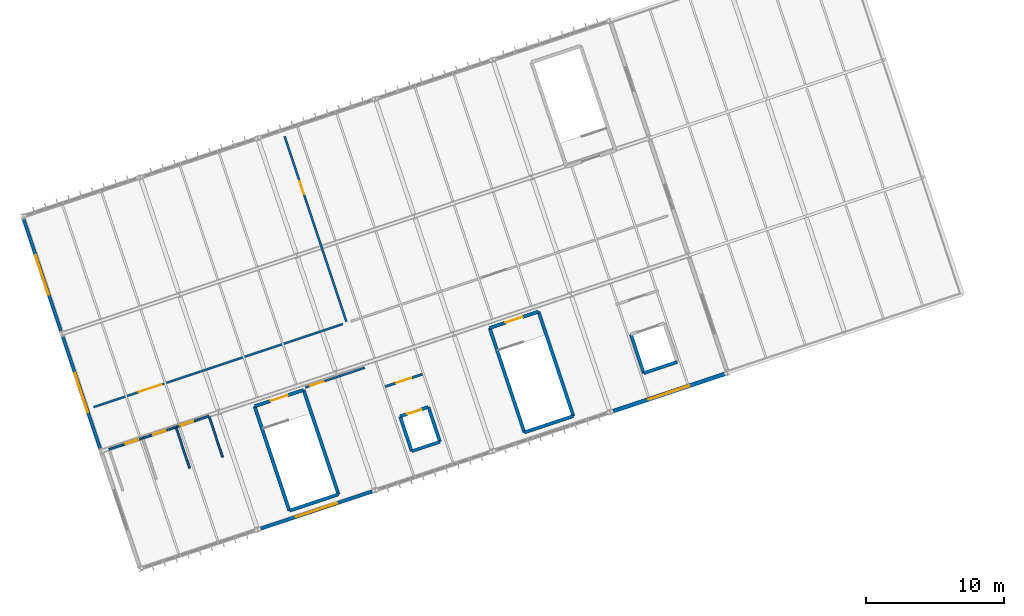
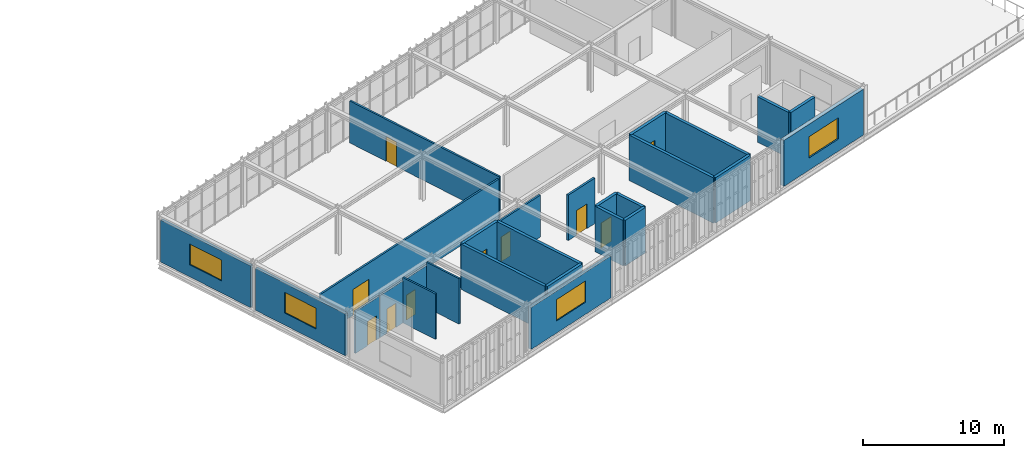
# One storey, part 44 of 61: 27 walls, 10 doors, 4 windows, 14 openings.
"""IFC4 building model written with IfcOpenShell, lengths in metres."""

from ifc_helpers import new_model, si_unit, derived_unit, direction, frame, frame_2d, origin, place, context, subcontext, project, spatial, rectangle, extrude, material, layer, layer_set, type_object, element, fill, save


model = new_model("IFC4")

# Units and contexts
model_context = context("Model", 3, precision=1e-05, world=origin(), true_north=direction((0.0, 1.0)))
body_context = subcontext(model_context, "Body", "Model", "MODEL_VIEW")
ifc_project = project(units=[si_unit("LENGTHUNIT", "METRE"), si_unit("AREAUNIT", "SQUARE_METRE"), si_unit("VOLUMEUNIT", "CUBIC_METRE"), si_unit("PLANEANGLEUNIT", "RADIAN"), si_unit("MASSUNIT", "GRAM", prefix="KILO"), si_unit("THERMODYNAMICTEMPERATUREUNIT", "KELVIN"), si_unit("TIMEUNIT", "SECOND"), derived_unit("THERMALTRANSMITTANCEUNIT", [(si_unit("MASSUNIT", "GRAM", prefix="KILO"), 1), (si_unit("THERMODYNAMICTEMPERATUREUNIT", "KELVIN"), -1), (si_unit("TIMEUNIT", "SECOND"), -3)])], contexts=[model_context])

# Site, building, storey
site_placement = place(None, origin())
site = spatial("IfcSite", under=ifc_project, at=site_placement, CompositionType="ELEMENT")
building_placement = place(site_placement, origin())
building = spatial("IfcBuilding", under=site, at=building_placement, Name="Cambertide Market Hall", CompositionType="ELEMENT")
storey_placement = place(building_placement, frame((0.0, 0.0, 9.89990234375)))
storey = spatial("IfcBuildingStorey", under=building, at=storey_placement, Name="L03", CompositionType="ELEMENT", Elevation=9.89990234375)

# Wall, opening, door
ifc_material_1 = material(Name="Autoclaved Aerated Concrete Blockwork M7.5", Category="masonry")
ifc_layer_1 = layer(ifc_material_1, 0.14990234375, Name="Culinary Classroom Acoustic Partition 150")
ifc_layer_set_1 = layer_set([ifc_layer_1], Name="Autoclaved Aerated Concrete Blockwork M7.5")
wall_type_1 = type_object("IfcWallType", Name="Culinary Classroom Acoustic Partition 150", PredefinedType="PARTITIONING", material=ifc_layer_set_1)
wall_1_placement = place(storey_placement, frame((102.610107421875, 23.7509765625, 0.0), z_axis=(0.0, 0.0, 1.0), x_axis=(0.948682019823, 0.316231600674, 0.0)))
wall_1 = element("IfcWall", 1, at=wall_1_placement, inside=storey, type_object=wall_type_1, Name="Level 3 Interior Wall IW-L03-V3C1", PredefinedType="PARTITIONING", context=body_context, shape_type="SweptSolid", body=[
    extrude(rectangle(XDim=19.10009765625, YDim=0.14990234375, at=frame_2d((9.550048828125, 0.0))), origin(), (0.0, 0.0, 1.0), 3.64013671875),
])
opening_1_placement = place(wall_1_placement, frame((3.469970703125, 0.0, 0.0)))
opening_1 = element("IfcOpeningElement", 2, at=opening_1_placement, cuts=wall_1, Name="Opening ID-02", PredefinedType="OPENING", context=body_context, shape_type="SweptSolid", body=[
    extrude(rectangle(XDim=1.75, YDim=2.25, at=frame_2d((0.875, 1.125))), frame((0.0, 0.0849609375, 0.0), z_axis=(0.0, -1.0, 0.0), x_axis=(1.0, 0.0, 0.0)), (0.0, 0.0, 1.0), 0.169921875),
])
ifc_material_2 = material(Name="Champagne Marine Anodized Aluminium 6063-T6 AA25", Category="aluminium")
door_type_1 = type_object("IfcDoorType", Name="Tasting Hall Double Door 1750x2250", OperationType="DOUBLE_DOOR_SINGLE_SWING", PredefinedType="DOOR", material=ifc_material_2)
door_1_placement = place(opening_1_placement, origin())
door_1 = element("IfcDoor", 3, at=door_1_placement, inside=storey, type_object=door_type_1, Name="Level 3 Door IW-L03-V3C1-DR1", OperationType="DOUBLE_DOOR_SINGLE_SWING", OverallHeight=2.25, OverallWidth=1.75, PredefinedType="DOOR", context=body_context, shape_type="SweptSolid", body=[
    extrude(rectangle(XDim=1.75, YDim=2.25, at=frame_2d((0.875, 1.125))), frame((0.0, 0.02490234375, 0.0), z_axis=(0.0, -1.0, 0.0), x_axis=(1.0, 0.0, 0.0)), (0.0, 0.0, 1.0), 0.050048828125),
])
fill(opening_1, door_1)

wall_2_placement = place(storey_placement, frame((120.9892578125, 29.961669921875, 0.0), z_axis=(0.0, 0.0, 1.0), x_axis=(-0.316227766017, 0.948683298051, 0.0)))
wall_2 = element("IfcWall", 4, at=wall_2_placement, inside=storey, type_object=wall_type_1, Name="Level 3 Interior Wall IW-L03-V3DIV", PredefinedType="PARTITIONING", context=body_context, shape_type="SweptSolid", body=[
    extrude(rectangle(XDim=14.2001953125, YDim=0.14990234375, at=frame_2d((7.10009765625, 0.0))), origin(), (0.0, 0.0, 1.0), 3.64013671875),
])
opening_2_placement = place(wall_2_placement, frame((9.76806640625, 0.0, 0.0)))
opening_2 = element("IfcOpeningElement", 5, at=opening_2_placement, cuts=wall_2, Name="Opening ID-03", PredefinedType="OPENING", context=body_context, shape_type="SweptSolid", body=[
    extrude(rectangle(XDim=1.0, YDim=2.14990234375, at=frame_2d((0.5, 1.074951171875))), frame((0.0, 0.0849609375, 0.0), z_axis=(0.0, -1.0, 0.0), x_axis=(1.0, 0.0, 0.0)), (0.0, 0.0, 1.0), 0.169921875),
])
ifc_material_3 = material(Name="Champagne Marine Anodized Aluminium 6063-T6 AA25", Category="aluminium")
door_type_2 = type_object("IfcDoorType", Name="Accessible Room Single Door 1000x2150", OperationType="NOTDEFINED", PredefinedType="DOOR", material=ifc_material_3)
door_2_placement = place(opening_2_placement, origin())
door_2 = element("IfcDoor", 6, at=door_2_placement, inside=storey, type_object=door_type_2, Name="Level 3 Door IW-L03-V3DIV-DR1", OperationType="SINGLE_SWING_LEFT", OverallHeight=2.14990234375, OverallWidth=1.0, PredefinedType="DOOR", context=body_context, shape_type="SweptSolid", body=[
    extrude(rectangle(XDim=1.0, YDim=2.14990234375, at=frame_2d((0.5, 1.074951171875))), frame((0.0, 0.02490234375, 0.0), z_axis=(0.0, -1.0, 0.0), x_axis=(1.0, 0.0, 0.0)), (0.0, 0.0, 1.0), 0.050048828125),
])
fill(opening_2, door_2)

wall_3_placement = place(storey_placement, frame((118.000732421875, 25.1708984375, 0.0), z_axis=(0.0, 0.0, 1.0), x_axis=(0.94869402873, 0.316195572157, 0.0)))
wall_3 = element("IfcWall", 7, at=wall_3_placement, inside=storey, type_object=wall_type_1, Name="Level 3 Interior Wall IW-L03-V3S1", PredefinedType="PARTITIONING", context=body_context, shape_type="SweptSolid", body=[
    extrude(rectangle(XDim=4.550048828125, YDim=0.14990234375, at=frame_2d((2.27490234375, 0.0))), origin(), (0.0, 0.0, 1.0), 3.64013671875),
])
opening_3_placement = place(wall_3_placement, frame((0.39990234375, 0.0, 0.0)))
opening_3 = element("IfcOpeningElement", 8, at=opening_3_placement, cuts=wall_3, Name="Opening ID-03", PredefinedType="OPENING", context=body_context, shape_type="SweptSolid", body=[
    extrude(rectangle(XDim=1.0, YDim=2.14990234375, at=frame_2d((0.5, 1.074951171875))), frame((0.0, 0.0849609375, 0.0), z_axis=(0.0, -1.0, 0.0), x_axis=(1.0, 0.0, 0.0)), (0.0, 0.0, 1.0), 0.169921875),
])
door_3_placement = place(opening_3_placement, frame((1.0, 0.0, 0.0), z_axis=(0.0, 0.0, 1.0), x_axis=(-1.0, 0.0, 0.0)))
door_3 = element("IfcDoor", 9, at=door_3_placement, inside=storey, type_object=door_type_2, Name="Level 3 Door IW-L03-V3S1-DR1", OperationType="SINGLE_SWING_RIGHT", OverallHeight=2.14990234375, OverallWidth=1.0, PredefinedType="DOOR", context=body_context, shape_type="SweptSolid", body=[
    extrude(rectangle(XDim=1.0, YDim=2.14990234375, at=frame_2d((0.5, 1.074951171875))), frame((0.0, 0.02490234375, 0.0), z_axis=(0.0, -1.0, 0.0), x_axis=(1.0, 0.0, 0.0)), (0.0, 0.0, 1.0), 0.050048828125),
])
fill(opening_3, door_3)

# Wall, opening, window
ifc_material_4 = material(Name="Autoclaved Aerated Concrete Blockwork M7.5", Category="masonry")
ifc_layer_2 = layer(ifc_material_4, 0.235107421875, Name="Food Court Acoustic Facade Wall 235")
ifc_layer_set_2 = layer_set([ifc_layer_2], Name="Autoclaved Aerated Concrete Blockwork M7.5")
wall_type_2 = type_object("IfcWallType", Name="Food Court Acoustic Facade Wall 235", PredefinedType="SOLIDWALL", material=ifc_layer_set_2)
wall_4_placement = place(storey_placement, frame((122.8486328125, 17.6162109375, 0.0), z_axis=(0.0, 0.0, 1.0), x_axis=(-0.948680432514, -0.316236362498, 0.0)))
wall_4 = element("IfcWall", 10, at=wall_4_placement, inside=storey, type_object=wall_type_2, Name="Level 3 Exterior Wall EW-L03-V3S-2", PredefinedType="SOLIDWALL", context=body_context, shape_type="SweptSolid", body=[
    extrude(rectangle(XDim=8.52001953125, YDim=0.235107421875, at=frame_2d((4.260009765625, 0.0))), origin(), (0.0, 0.0, 1.0), 3.64013671875),
])
opening_4_placement = place(wall_4_placement, frame((2.68505859375, 0.0, 1.050048828125)))
opening_4 = element("IfcOpeningElement", 11, at=opening_4_placement, cuts=wall_4, Name="Opening WN-04B", PredefinedType="OPENING", context=body_context, shape_type="SweptSolid", body=[
    extrude(rectangle(XDim=3.14990234375, YDim=1.85009765625, at=frame_2d((1.574951171875, 0.925048828125))), frame((0.0, 0.12744140625, 0.0), z_axis=(0.0, -1.0, 0.0), x_axis=(1.0, 0.0, 0.0)), (0.0, 0.0, 1.0), 0.255126953125),
])
ifc_material_5 = material(Name="Low-E Laminated Insulated Glass", Category="glass")
window_type_1 = type_object("IfcWindowType", Name="Riverfront Gallery Window 3150x1850", PartitioningType="SINGLE_PANEL", PredefinedType="WINDOW", material=ifc_material_5)
window_1_placement = place(opening_4_placement, origin())
window_1 = element("IfcWindow", 12, at=window_1_placement, inside=storey, type_object=window_type_1, Name="Level 3 Window EW-L03-V3S-2-WN", OverallHeight=1.85009765625, OverallWidth=3.14990234375, PartitioningType="SINGLE_PANEL", PredefinedType="WINDOW", context=body_context, shape_type="SweptSolid", body=[
    extrude(rectangle(XDim=3.14990234375, YDim=1.85009765625, at=frame_2d((1.574951171875, 0.925048828125))), frame((0.0, 0.030029296875, 0.0), z_axis=(0.0, -1.0, 0.0), x_axis=(1.0, 0.0, 0.0)), (0.0, 0.0, 1.0), 0.06005859375),
])
fill(opening_4, window_1)

wall_5_placement = place(storey_placement, frame((103.078125, 20.765869140625, 0.0), z_axis=(0.0, 0.0, 1.0), x_axis=(-0.316236362498, 0.948680432514, 0.0)))
wall_5 = element("IfcWall", 13, at=wall_5_placement, inside=storey, type_object=wall_type_2, Name="Level 3 Exterior Wall EW-L03-V3W-2", PredefinedType="SOLIDWALL", context=body_context, shape_type="SweptSolid", body=[
    extrude(rectangle(XDim=8.52001953125, YDim=0.235107421875, at=frame_2d((4.260009765625, 0.0))), origin(), (0.0, 0.0, 1.0), 3.64013671875),
])
opening_5_placement = place(wall_5_placement, frame((2.760009765625, 0.0, 1.050048828125)))
opening_5 = element("IfcOpeningElement", 14, at=opening_5_placement, cuts=wall_5, Name="Opening WN-04", PredefinedType="OPENING", context=body_context, shape_type="SweptSolid", body=[
    extrude(rectangle(XDim=3.0, YDim=1.800048828125, at=frame_2d((1.5, 0.89990234375))), frame((0.0, 0.12744140625, 0.0), z_axis=(0.0, -1.0, 0.0), x_axis=(1.0, 0.0, 0.0)), (0.0, 0.0, 1.0), 0.255126953125),
])
ifc_material_6 = material(Name="Low-E Laminated Insulated Glass", Category="glass")
window_type_2 = type_object("IfcWindowType", Name="Hawker Hall Louvered Window 3000x1800", PartitioningType="SINGLE_PANEL", PredefinedType="WINDOW", material=ifc_material_6)
window_2_placement = place(opening_5_placement, origin())
window_2 = element("IfcWindow", 15, at=window_2_placement, inside=storey, type_object=window_type_2, Name="Level 3 Window EW-L03-V3W-2-WN", OverallHeight=1.800048828125, OverallWidth=3.0, PartitioningType="SINGLE_PANEL", PredefinedType="WINDOW", context=body_context, shape_type="SweptSolid", body=[
    extrude(rectangle(XDim=3.0, YDim=1.800048828125, at=frame_2d((1.5, 0.89990234375))), frame((0.0, 0.030029296875, 0.0), z_axis=(0.0, -1.0, 0.0), x_axis=(1.0, 0.0, 0.0)), (0.0, 0.0, 1.0), 0.06005859375),
])
fill(opening_5, window_2)

wall_6_placement = place(storey_placement, frame((100.23193359375, 29.303955078125, 0.0), z_axis=(0.0, 0.0, 1.0), x_axis=(-0.316210572821, 0.948689028943, 0.0)))
wall_6 = element("IfcWall", 16, at=wall_6_placement, inside=storey, type_object=wall_type_2, Name="Level 3 Exterior Wall EW-L03-V3W-3", PredefinedType="SOLIDWALL", context=body_context, shape_type="SweptSolid", body=[
    extrude(rectangle(XDim=8.52001953125, YDim=0.235107421875, at=frame_2d((4.260009765625, 0.0))), origin(), (0.0, 0.0, 1.0), 3.64013671875),
])
opening_6_placement = place(wall_6_placement, frame((2.760009765625, 0.0, 1.050048828125)))
opening_6 = element("IfcOpeningElement", 17, at=opening_6_placement, cuts=wall_6, Name="Opening WN-04", PredefinedType="OPENING", context=body_context, shape_type="SweptSolid", body=[
    extrude(rectangle(XDim=3.0, YDim=1.800048828125, at=frame_2d((1.5, 0.89990234375))), frame((0.0, 0.12744140625, 0.0), z_axis=(0.0, -1.0, 0.0), x_axis=(1.0, 0.0, 0.0)), (0.0, 0.0, 1.0), 0.255126953125),
])
window_3_placement = place(opening_6_placement, origin())
window_3 = element("IfcWindow", 18, at=window_3_placement, inside=storey, type_object=window_type_2, Name="Level 3 Window EW-L03-V3W-3-WN", OverallHeight=1.800048828125, OverallWidth=3.0, PartitioningType="SINGLE_PANEL", PredefinedType="WINDOW", context=body_context, shape_type="SweptSolid", body=[
    extrude(rectangle(XDim=3.0, YDim=1.800048828125, at=frame_2d((1.5, 0.89990234375))), frame((0.0, 0.030029296875, 0.0), z_axis=(0.0, -1.0, 0.0), x_axis=(1.0, 0.0, 0.0)), (0.0, 0.0, 1.0), 0.06005859375),
])
fill(opening_6, window_3)

# Wall, opening, door
ifc_material_7 = material(Name="Autoclaved Aerated Concrete Blockwork M7.5", Category="masonry")
ifc_layer_3 = layer(ifc_material_7, 0.169921875, Name="Lift Lobby Fire Partition 170")
ifc_layer_set_3 = layer_set([ifc_layer_3], Name="Autoclaved Aerated Concrete Blockwork M7.5")
wall_type_3 = type_object("IfcWallType", Name="Lift Lobby Fire Partition 170", PredefinedType="PARTITIONING", material=ifc_layer_set_3)
wall_7_placement = place(storey_placement, frame((123.79736328125, 25.2373046875, 0.0), z_axis=(0.0, 0.0, 1.0), x_axis=(0.94869183448, 0.316202155576, 0.0)))
wall_7 = element("IfcWall", 19, at=wall_7_placement, inside=storey, type_object=wall_type_3, Name="Level 3 Interior Wall LLW-LP-02-L03", PredefinedType="PARTITIONING", context=body_context, shape_type="SweptSolid", body=[
    extrude(rectangle(XDim=2.85986328125, YDim=0.169921875, at=frame_2d((1.429931640625, 0.0))), origin(), (0.0, 0.0, 1.0), 3.940185546875),
])
opening_7_placement = place(wall_7_placement, frame((0.85498046875, 0.0, 0.0)))
opening_7 = element("IfcOpeningElement", 20, at=opening_7_placement, cuts=wall_7, Name="Opening KD-02", PredefinedType="OPENING", context=body_context, shape_type="SweptSolid", body=[
    extrude(rectangle(XDim=1.14990234375, YDim=2.14990234375, at=frame_2d((0.574951171875, 1.074951171875))), frame((0.0, 0.094970703125, 0.0), z_axis=(0.0, -1.0, 0.0), x_axis=(1.0, 0.0, 0.0)), (0.0, 0.0, 1.0), 0.18994140625),
])
ifc_material_8 = material(Name="Stainless Steel Grade 316", Category="metal")
door_type_3 = type_object("IfcDoorType", Name="Lift Lobby Smoke-Stop Door 1150x2150", OperationType="NOTDEFINED", PredefinedType="DOOR", material=ifc_material_8)
door_4_placement = place(opening_7_placement, origin())
door_4 = element("IfcDoor", 21, at=door_4_placement, inside=storey, type_object=door_type_3, Name="Level 3 Door LLW-LP-02-L03-DR1", OperationType="SINGLE_SWING_RIGHT", OverallHeight=2.14990234375, OverallWidth=1.14990234375, PredefinedType="DOOR", context=body_context, shape_type="SweptSolid", body=[
    extrude(rectangle(XDim=1.14990234375, YDim=2.14990234375, at=frame_2d((0.574951171875, 1.074951171875))), frame((0.0, 0.02490234375, 0.0), z_axis=(0.0, -1.0, 0.0), x_axis=(1.0, 0.0, 0.0)), (0.0, 0.0, 1.0), 0.050048828125),
])
fill(opening_7, door_4)

ifc_material_9 = material(Name="Autoclaved Aerated Concrete Blockwork M7.5", Category="masonry")
ifc_layer_4 = layer(ifc_material_9, 0.139892578125, Name="Sanitary & Wet-Area Masonry Partition 140")
ifc_layer_set_4 = layer_set([ifc_layer_4], Name="Autoclaved Aerated Concrete Blockwork M7.5")
wall_type_4 = type_object("IfcWallType", Name="Sanitary & Wet-Area Masonry Partition 140", PredefinedType="PARTITIONING", material=ifc_layer_set_4)
wall_8_placement = place(storey_placement, frame((103.739013671875, 20.680419921875, 0.0), z_axis=(0.0, 0.0, 1.0), x_axis=(0.948683298051, 0.316227766017, 0.0)))
wall_8 = element("IfcWall", 22, at=wall_8_placement, inside=storey, type_object=wall_type_4, Name="Level 3 Interior Wall WCW-L03-L03A-F1", PredefinedType="PARTITIONING", context=body_context, shape_type="SweptSolid", body=[
    extrude(rectangle(XDim=2.550048828125, YDim=0.139892578125, at=frame_2d((1.27490234375, 0.0))), origin(), (0.0, 0.0, 1.0), 3.64013671875),
])
opening_8_placement = place(wall_8_placement, frame((1.280029296875, 0.0, 0.0)))
opening_8 = element("IfcOpeningElement", 23, at=opening_8_placement, cuts=wall_8, Name="Opening ID-04", PredefinedType="OPENING", context=body_context, shape_type="SweptSolid", body=[
    extrude(rectangle(XDim=0.949951171875, YDim=2.10009765625, at=frame_2d((0.47509765625, 1.050048828125))), frame((0.0, 0.079833984375, 0.0), z_axis=(0.0, -1.0, 0.0), x_axis=(1.0, 0.0, 0.0)), (0.0, 0.0, 1.0), 0.159912109375),
])
ifc_material_10 = material(Name="Champagne Marine Anodized Aluminium 6063-T6 AA25", Category="aluminium")
door_type_4 = type_object("IfcDoorType", Name="WC & Office Single Door 950x2100", OperationType="NOTDEFINED", PredefinedType="DOOR", material=ifc_material_10)
door_5_placement = place(opening_8_placement, origin())
door_5 = element("IfcDoor", 24, at=door_5_placement, inside=storey, type_object=door_type_4, Name="Level 3 Door WCW-L03-L03A-F1-DR1", OperationType="SINGLE_SWING_LEFT", OverallHeight=2.10009765625, OverallWidth=0.949951171875, PredefinedType="DOOR", context=body_context, shape_type="SweptSolid", body=[
    extrude(rectangle(XDim=0.949951171875, YDim=2.10009765625, at=frame_2d((0.47509765625, 1.050048828125))), frame((0.0, 0.02490234375, 0.0), z_axis=(0.0, -1.0, 0.0), x_axis=(1.0, 0.0, 0.0)), (0.0, 0.0, 1.0), 0.050048828125),
])
fill(opening_8, door_5)

wall_9_placement = place(storey_placement, frame((106.20556640625, 21.502685546875, 0.0), z_axis=(0.0, 0.0, 1.0), x_axis=(0.948683298051, 0.316227766017, 0.0)))
wall_9 = element("IfcWall", 25, at=wall_9_placement, inside=storey, type_object=wall_type_4, Name="Level 3 Interior Wall WCW-L03-L03A-F2", PredefinedType="PARTITIONING", context=body_context, shape_type="SweptSolid", body=[
    extrude(rectangle(XDim=2.499755859375, YDim=0.139892578125, at=frame_2d((1.25, 0.0))), origin(), (0.0, 0.0, 1.0), 3.64013671875),
])
opening_9_placement = place(wall_9_placement, frame((0.77490234375, 0.0, 0.0)))
opening_9 = element("IfcOpeningElement", 26, at=opening_9_placement, cuts=wall_9, Name="Opening ID-04", PredefinedType="OPENING", context=body_context, shape_type="SweptSolid", body=[
    extrude(rectangle(XDim=0.949951171875, YDim=2.10009765625, at=frame_2d((0.47509765625, 1.050048828125))), frame((0.0, 0.079833984375, 0.0), z_axis=(0.0, -1.0, 0.0), x_axis=(1.0, 0.0, 0.0)), (0.0, 0.0, 1.0), 0.159912109375),
])
door_6_placement = place(opening_9_placement, origin())
door_6 = element("IfcDoor", 27, at=door_6_placement, inside=storey, type_object=door_type_4, Name="Level 3 Door WCW-L03-L03A-F2-DR1", OperationType="SINGLE_SWING_RIGHT", OverallHeight=2.10009765625, OverallWidth=0.949951171875, PredefinedType="DOOR", context=body_context, shape_type="SweptSolid", body=[
    extrude(rectangle(XDim=0.949951171875, YDim=2.10009765625, at=frame_2d((0.47509765625, 1.050048828125))), frame((0.0, 0.02490234375, 0.0), z_axis=(0.0, -1.0, 0.0), x_axis=(1.0, 0.0, 0.0)), (0.0, 0.0, 1.0), 0.050048828125),
])
fill(opening_9, door_6)

wall_10_placement = place(storey_placement, frame((108.624755859375, 22.30908203125, 0.0), z_axis=(0.0, 0.0, 1.0), x_axis=(0.948683298051, 0.316227766017, 0.0)))
wall_10 = element("IfcWall", 28, at=wall_10_placement, inside=storey, type_object=wall_type_4, Name="Level 3 Interior Wall WCW-L03-L03A-F3", PredefinedType="PARTITIONING", context=body_context, shape_type="SweptSolid", body=[
    extrude(rectangle(XDim=2.499755859375, YDim=0.139892578125, at=frame_2d((1.25, 0.0))), origin(), (0.0, 0.0, 1.0), 3.64013671875),
])
opening_10_placement = place(wall_10_placement, frame((0.320068359375, 0.0, 0.0)))
opening_10 = element("IfcOpeningElement", 29, at=opening_10_placement, cuts=wall_10, Name="Opening ID-05", PredefinedType="OPENING", context=body_context, shape_type="SweptSolid", body=[
    extrude(rectangle(XDim=0.97998046875, YDim=2.14990234375, at=frame_2d((0.489990234375, 1.074951171875))), frame((0.0, 0.079833984375, 0.0), z_axis=(0.0, -1.0, 0.0), x_axis=(1.0, 0.0, 0.0)), (0.0, 0.0, 1.0), 0.159912109375),
])
ifc_material_11 = material(Name="Champagne Marine Anodized Aluminium 6063-T6 AA25", Category="aluminium")
door_type_5 = type_object("IfcDoorType", Name="Accessible WC Outward Door 980x2150", OperationType="NOTDEFINED", PredefinedType="DOOR", material=ifc_material_11)
door_7_placement = place(opening_10_placement, origin())
door_7 = element("IfcDoor", 30, at=door_7_placement, inside=storey, type_object=door_type_5, Name="Level 3 Door WCW-L03-L03A-F3-DR1", OperationType="SINGLE_SWING_LEFT", OverallHeight=2.14990234375, OverallWidth=0.97998046875, PredefinedType="DOOR", context=body_context, shape_type="SweptSolid", body=[
    extrude(rectangle(XDim=0.97998046875, YDim=2.14990234375, at=frame_2d((0.489990234375, 1.074951171875))), frame((0.0, 0.02490234375, 0.0), z_axis=(0.0, -1.0, 0.0), x_axis=(1.0, 0.0, 0.0)), (0.0, 0.0, 1.0), 0.050048828125),
])
fill(opening_10, door_7)

# Walls
for number, where, z_axis, x_axis, name in (
    (31, (109.59228515625, 19.311279296875, 0.0), (0.0, 0.0, 1.0), (-0.316204139208, 0.948691173326, 0.0), "Level 3 Interior Wall WCW-L03-L03A-D2"),
    (32, (111.992431640625, 20.111328125, 0.0), (0.0, 0.0, 1.0), (-0.316204139208, 0.948691173326, 0.0), "Level 3 Interior Wall WCW-L03-L03A-R"),
):
    element("IfcWall", number, at=place(storey_placement, frame(where, z_axis=z_axis, x_axis=x_axis)), inside=storey, type_object=wall_type_4, Name=name, PredefinedType="PARTITIONING", context=body_context, shape_type="SweptSolid", body=[
        extrude(rectangle(XDim=3.099853515625, YDim=0.139892578125, at=frame_2d((1.5498046875, 0.0))), origin(), (0.0, 0.0, 1.0), 3.940185546875),
    ])

# Wall, opening, door
ifc_material_12 = material(Name="Concrete B35", Category="concrete")
ifc_layer_5 = layer(ifc_material_12, 0.239990234375, Name="Stair & Lift Core Shaft Wall 240")
ifc_layer_set_5 = layer_set([ifc_layer_5], Name="Concrete B35")
wall_type_5 = type_object("IfcWallType", Name="Stair & Lift Core Shaft Wall 240", PredefinedType="SOLIDWALL", material=ifc_layer_set_5)
wall_11_placement = place(storey_placement, frame((114.31689453125, 23.81103515625, 0.0), z_axis=(0.0, 0.0, 1.0), x_axis=(0.948670276792, 0.316266827111, 0.0)))
wall_11 = element("IfcWall", 33, at=wall_11_placement, inside=storey, type_object=wall_type_5, Name="Level 3 Interior Wall SHW-ST-05A-L03-NEAR", PredefinedType="SOLIDWALL", context=body_context, shape_type="SweptSolid", body=[
    extrude(rectangle(XDim=3.75, YDim=0.239990234375, at=frame_2d((1.875, 0.0))), origin(), (0.0, 0.0, 1.0), 3.940185546875),
])
opening_11_placement = place(wall_11_placement, frame((1.22509765625, 0.0, 0.0)))
opening_11 = element("IfcOpeningElement", 34, at=opening_11_placement, cuts=wall_11, Name="Opening FD-01", PredefinedType="OPENING", context=body_context, shape_type="SweptSolid", body=[
    extrude(rectangle(XDim=1.300048828125, YDim=2.14990234375, at=frame_2d((0.64990234375, 1.074951171875))), frame((0.0, 0.1298828125, 0.0), z_axis=(0.0, -1.0, 0.0), x_axis=(1.0, 0.0, 0.0)), (0.0, 0.0, 1.0), 0.260009765625),
])
ifc_material_13 = material(Name="Powder-Coated Galvanized Sheet Metal", Category="metal")
door_type_6 = type_object("IfcDoorType", Name="Stair Core Fire Door 1300x2150", OperationType="NOTDEFINED", PredefinedType="DOOR", material=ifc_material_13)
door_8_placement = place(opening_11_placement, origin())
door_8 = element("IfcDoor", 35, at=door_8_placement, inside=storey, type_object=door_type_6, Name="Level 3 Door SHW-ST-05A-L03-NEAR-DR1", OperationType="SINGLE_SWING_LEFT", OverallHeight=2.14990234375, OverallWidth=1.300048828125, PredefinedType="DOOR", context=body_context, shape_type="SweptSolid", body=[
    extrude(rectangle(XDim=1.300048828125, YDim=2.14990234375, at=frame_2d((0.64990234375, 1.074951171875))), frame((0.0, 0.02490234375, 0.0), z_axis=(0.0, -1.0, 0.0), x_axis=(1.0, 0.0, 0.0)), (0.0, 0.0, 1.0), 0.050048828125),
])
fill(opening_11, door_8)

# Walls
wall_12_placement = place(storey_placement, frame((116.8466796875, 16.2216796875, 0.0), z_axis=(0.0, 0.0, 1.0), x_axis=(-0.316227766017, 0.948683298051, 0.0)))
element("IfcWall", 36, at=wall_12_placement, inside=storey, type_object=wall_type_5, Name="Level 3 Interior Wall SHW-ST-05A-L03-L", PredefinedType="SOLIDWALL", context=body_context, shape_type="SweptSolid", body=[
    extrude(rectangle(XDim=8.0, YDim=0.239990234375, at=frame_2d((4.0, 0.0))), origin(), (0.0, 0.0, 1.0), 3.940185546875),
])
wall_13_placement = place(storey_placement, frame((120.404296875, 17.407470703125, 0.0), z_axis=(0.0, 0.0, 1.0), x_axis=(-0.94868980821, -0.316208234867, 0.0)))
element("IfcWall", 37, at=wall_13_placement, inside=storey, type_object=wall_type_5, Name="Level 3 Interior Wall SHW-ST-05A-L03-FAR", PredefinedType="SOLIDWALL", context=body_context, shape_type="SweptSolid", body=[
    extrude(rectangle(XDim=3.75, YDim=0.239990234375, at=frame_2d((1.875, 0.0))), origin(), (0.0, 0.0, 1.0), 3.940185546875),
])
wall_14_placement = place(storey_placement, frame((117.87451171875, 24.9970703125, 0.0), z_axis=(0.0, 0.0, 1.0), x_axis=(0.31621861086, -0.94868634972, 0.0)))
element("IfcWall", 38, at=wall_14_placement, inside=storey, type_object=wall_type_5, Name="Level 3 Interior Wall SHW-ST-05A-L03-R", PredefinedType="SOLIDWALL", context=body_context, shape_type="SweptSolid", body=[
    extrude(rectangle(XDim=8.0, YDim=0.239990234375, at=frame_2d((4.0, 0.0))), origin(), (0.0, 0.0, 1.0), 3.940185546875),
])

# Wall, opening, door
wall_15_placement = place(storey_placement, frame((131.39306640625, 29.503173828125, 0.0), z_axis=(0.0, 0.0, 1.0), x_axis=(0.948670276792, 0.316266827111, 0.0)))
wall_15 = element("IfcWall", 39, at=wall_15_placement, inside=storey, type_object=wall_type_5, Name="Level 3 Interior Wall SHW-ST-06A-L03-NEAR", PredefinedType="SOLIDWALL", context=body_context, shape_type="SweptSolid", body=[
    extrude(rectangle(XDim=3.75, YDim=0.239990234375, at=frame_2d((1.875, 0.0))), origin(), (0.0, 0.0, 1.0), 3.940185546875),
])
opening_12_placement = place(wall_15_placement, frame((1.22509765625, 0.0, 0.0)))
opening_12 = element("IfcOpeningElement", 40, at=opening_12_placement, cuts=wall_15, Name="Opening FD-01", PredefinedType="OPENING", context=body_context, shape_type="SweptSolid", body=[
    extrude(rectangle(XDim=1.300048828125, YDim=2.14990234375, at=frame_2d((0.64990234375, 1.074951171875))), frame((0.0, 0.1298828125, 0.0), z_axis=(0.0, -1.0, 0.0), x_axis=(1.0, 0.0, 0.0)), (0.0, 0.0, 1.0), 0.260009765625),
])
door_9_placement = place(opening_12_placement, origin())
door_9 = element("IfcDoor", 41, at=door_9_placement, inside=storey, type_object=door_type_6, Name="Level 3 Door SHW-ST-06A-L03-NEAR-DR1", OperationType="SINGLE_SWING_RIGHT", OverallHeight=2.14990234375, OverallWidth=1.300048828125, PredefinedType="DOOR", context=body_context, shape_type="SweptSolid", body=[
    extrude(rectangle(XDim=1.300048828125, YDim=2.14990234375, at=frame_2d((0.64990234375, 1.074951171875))), frame((0.0, 0.02490234375, 0.0), z_axis=(0.0, -1.0, 0.0), x_axis=(1.0, 0.0, 0.0)), (0.0, 0.0, 1.0), 0.050048828125),
])
fill(opening_12, door_9)

# Walls
wall_16_placement = place(storey_placement, frame((133.9228515625, 21.913818359375, 0.0), z_axis=(0.0, 0.0, 1.0), x_axis=(-0.316227766017, 0.948683298051, 0.0)))
element("IfcWall", 42, at=wall_16_placement, inside=storey, type_object=wall_type_5, Name="Level 3 Interior Wall SHW-ST-06A-L03-L", PredefinedType="SOLIDWALL", context=body_context, shape_type="SweptSolid", body=[
    extrude(rectangle(XDim=8.0, YDim=0.239990234375, at=frame_2d((4.0, 0.0))), origin(), (0.0, 0.0, 1.0), 3.940185546875),
])
wall_17_placement = place(storey_placement, frame((137.48046875, 23.099609375, 0.0), z_axis=(0.0, 0.0, 1.0), x_axis=(-0.94868980821, -0.316208234867, 0.0)))
element("IfcWall", 43, at=wall_17_placement, inside=storey, type_object=wall_type_5, Name="Level 3 Interior Wall SHW-ST-06A-L03-FAR", PredefinedType="SOLIDWALL", context=body_context, shape_type="SweptSolid", body=[
    extrude(rectangle(XDim=3.75, YDim=0.239990234375, at=frame_2d((1.875, 0.0))), origin(), (0.0, 0.0, 1.0), 3.940185546875),
])
wall_18_placement = place(storey_placement, frame((134.95068359375, 30.689208984375, 0.0), z_axis=(0.0, 0.0, 1.0), x_axis=(0.31621861086, -0.94868634972, 0.0)))
element("IfcWall", 44, at=wall_18_placement, inside=storey, type_object=wall_type_5, Name="Level 3 Interior Wall SHW-ST-06A-L03-R", PredefinedType="SOLIDWALL", context=body_context, shape_type="SweptSolid", body=[
    extrude(rectangle(XDim=8.0, YDim=0.239990234375, at=frame_2d((4.0, 0.0))), origin(), (0.0, 0.0, 1.0), 3.940185546875),
])
wall_19_placement = place(storey_placement, frame((127.778564453125, 21.230712890625, 0.0), z_axis=(0.0, 0.0, 1.0), x_axis=(-0.948671994311, -0.316261675215, 0.0)))
element("IfcWall", 45, at=wall_19_placement, inside=storey, type_object=wall_type_5, Name="Level 3 Interior Wall LSH-LP-02-L03-S", PredefinedType="SOLIDWALL", context=body_context, shape_type="SweptSolid", body=[
    extrude(rectangle(XDim=2.159912109375, YDim=0.239990234375, at=frame_2d((1.080078125, 0.0))), origin(), (0.0, 0.0, 1.0), 3.940185546875),
])

# Wall, opening, door
wall_20_placement = place(storey_placement, frame((124.88818359375, 23.071044921875, 0.0), z_axis=(0.0, 0.0, 1.0), x_axis=(0.948683298051, 0.316227766017, 0.0)))
wall_20 = element("IfcWall", 46, at=wall_20_placement, inside=storey, type_object=wall_type_5, Name="Level 3 Interior Wall LSH-LP-02-L03-N", PredefinedType="SOLIDWALL", context=body_context, shape_type="SweptSolid", body=[
    extrude(rectangle(XDim=2.16015625, YDim=0.239990234375, at=frame_2d((1.080078125, 0.0))), origin(), (0.0, 0.0, 1.0), 3.940185546875),
])
opening_13_placement = place(wall_20_placement, frame((0.530029296875, 0.0, 0.0)))
opening_13 = element("IfcOpeningElement", 47, at=opening_13_placement, cuts=wall_20, Name="Opening LD-01", PredefinedType="OPENING", context=body_context, shape_type="SweptSolid", body=[
    extrude(rectangle(XDim=1.10009765625, YDim=2.14990234375, at=frame_2d((0.550048828125, 1.074951171875))), frame((0.0, 0.1298828125, 0.0), z_axis=(0.0, -1.0, 0.0), x_axis=(1.0, 0.0, 0.0)), (0.0, 0.0, 1.0), 0.260009765625),
])
ifc_material_14 = material(Name="Stainless Steel Grade 316", Category="metal")
door_type_7 = type_object("IfcDoorType", Name="Passenger Lift Sliding Landing Door 1100x2150", OperationType="DOUBLE_DOOR_SLIDING", PredefinedType="DOOR", material=ifc_material_14)
door_10_placement = place(opening_13_placement, origin())
door_10 = element("IfcDoor", 48, at=door_10_placement, inside=storey, type_object=door_type_7, Name="Level 3 Door LSH-LP-02-L03-N-DR1", OperationType="DOUBLE_DOOR_SLIDING", OverallHeight=2.14990234375, OverallWidth=1.10009765625, PredefinedType="DOOR", context=body_context, shape_type="SweptSolid", body=[
    extrude(rectangle(XDim=1.10009765625, YDim=2.14990234375, at=frame_2d((0.550048828125, 1.074951171875))), frame((0.0, 0.02490234375, 0.0), z_axis=(0.0, -1.0, 0.0), x_axis=(1.0, 0.0, 0.0)), (0.0, 0.0, 1.0), 0.050048828125),
])
fill(opening_13, door_10)

# Walls
for number, where, z_axis, x_axis, name in (
    (49, (125.7294921875, 20.547607421875, 0.0), (0.0, 0.0, 1.0), (-0.316282835043, 0.948664939932, 0.0), "Level 3 Interior Wall LSH-LP-02-L03-W"),
    (50, (126.9375, 23.754150390625, 0.0), (0.0, 0.0, 1.0), (0.316200230305, -0.948692476177, 0.0), "Level 3 Interior Wall LSH-LP-02-L03-E"),
):
    element("IfcWall", number, at=place(storey_placement, frame(where, z_axis=z_axis, x_axis=x_axis)), inside=storey, type_object=wall_type_5, Name=name, PredefinedType="SOLIDWALL", context=body_context, shape_type="SweptSolid", body=[
        extrude(rectangle(XDim=2.659912109375, YDim=0.239990234375, at=frame_2d((1.330078125, 0.0))), origin(), (0.0, 0.0, 1.0), 3.940185546875),
    ])
wall_21_placement = place(storey_placement, frame((145.02880859375, 27.033447265625, 0.0), z_axis=(0.0, 0.0, 1.0), x_axis=(-0.948683298051, -0.316227766017, 0.0)))
element("IfcWall", 51, at=wall_21_placement, inside=storey, type_object=wall_type_5, Name="Level 3 Interior Wall LSH-LG-02-L03-S", PredefinedType="SOLIDWALL", context=body_context, shape_type="SweptSolid", body=[
    extrude(rectangle(XDim=2.56005859375, YDim=0.239990234375, at=frame_2d((1.280029296875, 0.0))), origin(), (0.0, 0.0, 1.0), 3.940185546875),
])
wall_22_placement = place(storey_placement, frame((142.60009765625, 26.223876953125, 0.0), z_axis=(0.0, 0.0, 1.0), x_axis=(-0.316153531243, 0.948708039748, 0.0)))
element("IfcWall", 52, at=wall_22_placement, inside=storey, type_object=wall_type_5, Name="Level 3 Interior Wall LSH-LG-02-L03-W", PredefinedType="SOLIDWALL", context=body_context, shape_type="SweptSolid", body=[
    extrude(rectangle(XDim=2.9599609375, YDim=0.239990234375, at=frame_2d((1.47998046875, 0.0))), origin(), (0.0, 0.0, 1.0), 3.940185546875),
])

# Wall, opening, window
ifc_material_15 = material(Name="Concrete B35", Category="concrete")
ifc_layer_6 = layer(ifc_material_15, 0.300048828125, Name="Structural Facade Shear Wall 300")
ifc_layer_set_6 = layer_set([ifc_layer_6], Name="Concrete B35")
wall_type_6 = type_object("IfcWallType", Name="Structural Facade Shear Wall 300", PredefinedType="SHEAR", material=ifc_layer_set_6)
wall_23_placement = place(storey_placement, frame((148.463134765625, 26.154296875, 0.0), z_axis=(0.0, 0.0, 1.0), x_axis=(-0.948689028943, -0.316210572821, 0.0)))
wall_23 = element("IfcWall", 53, at=wall_23_placement, inside=storey, type_object=wall_type_6, Name="Level 3 Exterior Wall EW-L03-V3S-5", PredefinedType="SHEAR", context=body_context, shape_type="SweptSolid", body=[
    extrude(rectangle(XDim=8.52001953125, YDim=0.300048828125, at=frame_2d((4.260009765625, 0.0))), origin(), (0.0, 0.0, 1.0), 3.97998046875),
])
opening_14_placement = place(wall_23_placement, frame((2.68505859375, 0.0, 1.050048828125)))
opening_14 = element("IfcOpeningElement", 54, at=opening_14_placement, cuts=wall_23, Name="Opening WN-04B", PredefinedType="OPENING", context=body_context, shape_type="SweptSolid", body=[
    extrude(rectangle(XDim=3.14990234375, YDim=1.85009765625, at=frame_2d((1.574951171875, 0.925048828125))), frame((0.0, 0.159912109375, 0.0), z_axis=(0.0, -1.0, 0.0), x_axis=(1.0, 0.0, 0.0)), (0.0, 0.0, 1.0), 0.320068359375),
])
window_4_placement = place(opening_14_placement, origin())
window_4 = element("IfcWindow", 55, at=window_4_placement, inside=storey, type_object=window_type_1, Name="Level 3 Window EW-L03-V3S-5-WN", OverallHeight=1.85009765625, OverallWidth=3.14990234375, PartitioningType="SINGLE_PANEL", PredefinedType="WINDOW", context=body_context, shape_type="SweptSolid", body=[
    extrude(rectangle(XDim=3.14990234375, YDim=1.85009765625, at=frame_2d((1.574951171875, 0.925048828125))), frame((0.0, 0.030029296875, 0.0), z_axis=(0.0, -1.0, 0.0), x_axis=(1.0, 0.0, 0.0)), (0.0, 0.0, 1.0), 0.06005859375),
])
fill(opening_14, window_4)

save(model, "model.ifc")
